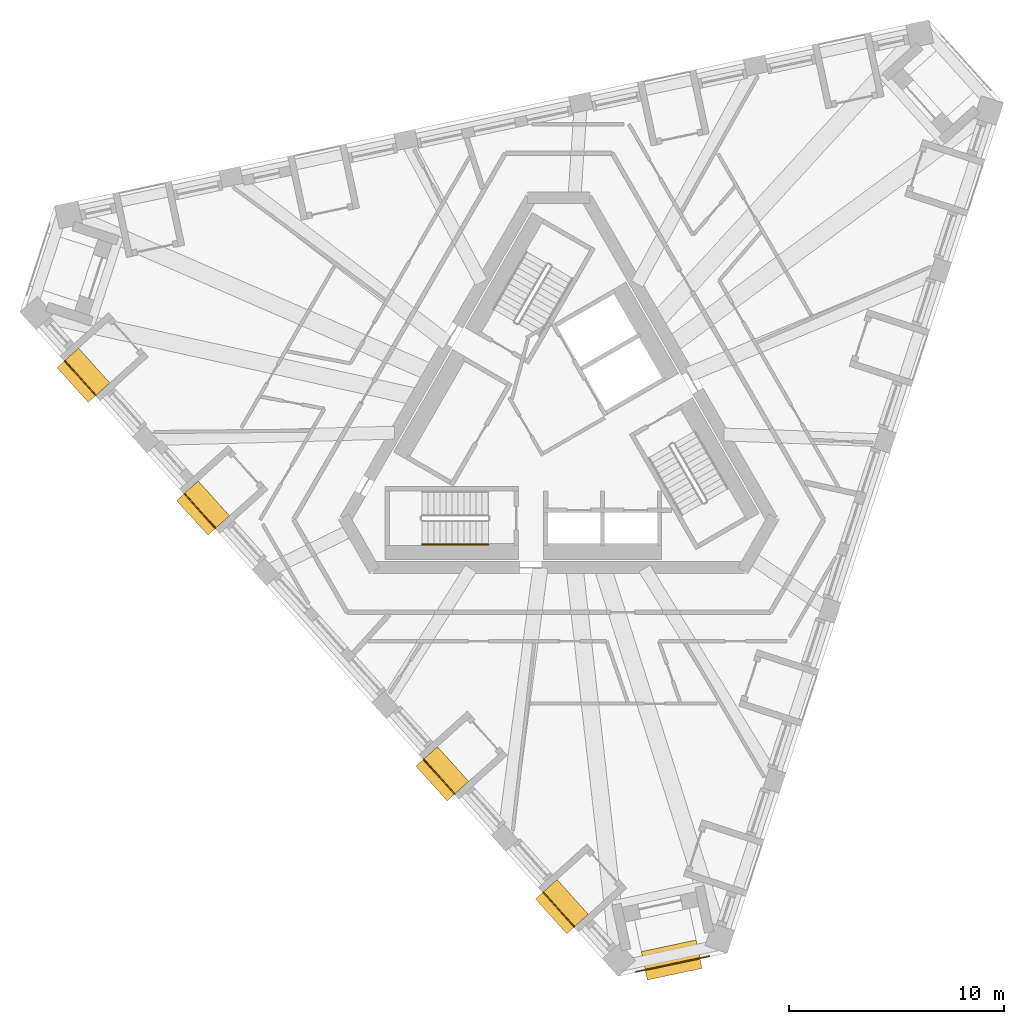
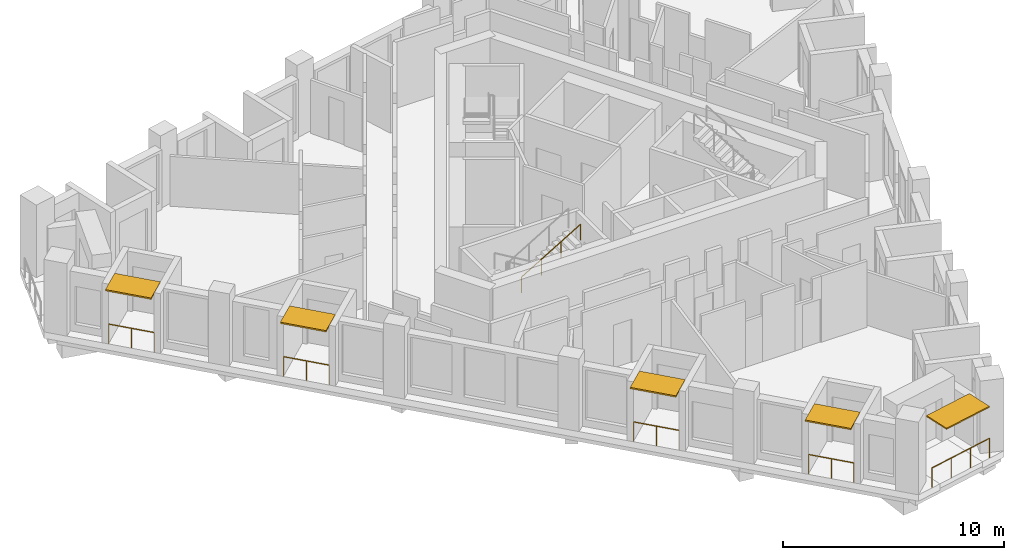
# One storey, part 10 of 13: 6 railings, 5 shading devices.
"""IFC4 building model written with IfcOpenShell, lengths in metres."""

from ifc_helpers import new_model, si_unit, direction, frame, origin, origin_2d, place, context, subcontext, project, spatial, rectangle, circle, extrude, material, layer, layer_set, type_object, element, save


model = new_model("IFC4")

# Units and contexts
model_context = context("Model", 3, precision=1e-05, world=origin(), true_north=direction((0.0, 1.0)))
body_context = subcontext(model_context, "Body", "Model", "MODEL_VIEW")
ifc_project = project(units=[si_unit("LENGTHUNIT", "METRE"), si_unit("AREAUNIT", "SQUARE_METRE"), si_unit("VOLUMEUNIT", "CUBIC_METRE"), si_unit("PLANEANGLEUNIT", "RADIAN"), si_unit("MASSUNIT", "GRAM", prefix="KILO")], contexts=[model_context])

# Site, building, storey
site_placement = place(None, origin())
site = spatial("IfcSite", under=ifc_project, at=site_placement, CompositionType="ELEMENT")
building_placement = place(site_placement, origin())
building = spatial("IfcBuilding", under=site, at=building_placement, Name="Tramontana Tower", CompositionType="ELEMENT")
storey_placement = place(building_placement, frame((0.0, 0.0, 324.39990234375)))
storey = spatial("IfcBuildingStorey", under=building, at=storey_placement, Name="L74", CompositionType="ELEMENT", Elevation=324.39990234375)

# Railings
ifc_material_1 = material(Name="Laminated glass balustrade", Category="glass")
railing_type_1 = type_object("IfcRailingType", Name="GD1 Loggia glass balustrade 1100", PredefinedType="BALUSTRADE", material=ifc_material_1)
railing_1_placement = place(storey_placement, frame((-22.977294921875, 3.146728515625, 0.0)))
element("IfcRailing", 1, at=railing_1_placement, inside=storey, type_object=railing_type_1, Name="Loggia balustrade L74 G8S0.1", PredefinedType="BALUSTRADE", context=body_context, shape_type="SweptSolid", body=[
    extrude(circle(Radius=0.02392578125, at=origin_2d()), frame((0.0, 0.0, 1.076171875), z_axis=(0.669082765552, -0.743187898745, 0.0), x_axis=(0.743187898745, 0.669082765552, 0.0)), (0.0, 0.0, 1.0), 2.171142578125),
    extrude(circle(Radius=0.02099609375, at=origin_2d()), origin(), (0.0, 0.0, 1.0), 1.052001953125),
    extrude(circle(Radius=0.02099609375, at=origin_2d()), frame((0.726318359375, -0.806640625, 0.0)), (0.0, 0.0, 1.0), 1.052001953125),
    extrude(circle(Radius=0.02099609375, at=origin_2d()), frame((1.45263671875, -1.613525390625, 0.0)), (0.0, 0.0, 1.0), 1.052001953125),
])
for number, where, name in (
    (2, (-17.414306640625, -3.03173828125, 0.0), "Loggia balustrade L74 G8S0.4"),
    (3, (-6.288330078125, -15.388427734375, 0.0), "Loggia balustrade L74 G8S0.10"),
):
    element("IfcRailing", number, at=place(storey_placement, frame(where)), inside=storey, type_object=railing_type_1, Name=name, PredefinedType="BALUSTRADE", context=body_context, shape_type="SweptSolid", body=[
        extrude(circle(Radius=0.02392578125, at=origin_2d()), frame((0.0, 0.0, 1.076171875), z_axis=(0.669144868344, -0.743131983681, 0.0), x_axis=(0.743131983681, 0.669144868344, 0.0)), (0.0, 0.0, 1.0), 2.171142578125),
        extrude(circle(Radius=0.02099609375, at=origin_2d()), origin(), (0.0, 0.0, 1.0), 1.052001953125),
        extrude(circle(Radius=0.02099609375, at=origin_2d()), frame((0.7265625, -0.806640625, 0.0)), (0.0, 0.0, 1.0), 1.052001953125),
        extrude(circle(Radius=0.02099609375, at=origin_2d()), frame((1.452880859375, -1.613525390625, 0.0)), (0.0, 0.0, 1.0), 1.052001953125),
    ])
railing_2_placement = place(storey_placement, frame((-0.72509765625, -21.56689453125, 0.0)))
element("IfcRailing", 4, at=railing_2_placement, inside=storey, type_object=railing_type_1, Name="Loggia balustrade L74 G8S0.13", PredefinedType="BALUSTRADE", context=body_context, shape_type="SweptSolid", body=[
    extrude(circle(Radius=0.02392578125, at=origin_2d()), frame((0.0, 0.0, 1.076171875), z_axis=(0.669082765552, -0.743187898745, 0.0), x_axis=(0.743187898745, 0.669082765552, 0.0)), (0.0, 0.0, 1.0), 2.171142578125),
    extrude(circle(Radius=0.02099609375, at=origin_2d()), origin(), (0.0, 0.0, 1.0), 1.052001953125),
    extrude(circle(Radius=0.02099609375, at=origin_2d()), frame((0.726318359375, -0.806640625, 0.0)), (0.0, 0.0, 1.0), 1.052001953125),
    extrude(circle(Radius=0.02099609375, at=origin_2d()), frame((1.45263671875, -1.613525390625, 0.0)), (0.0, 0.0, 1.0), 1.052001953125),
])
railing_3_placement = place(storey_placement, frame((7.00732421875, -24.549560546875, 0.0)))
element("IfcRailing", 5, at=railing_3_placement, inside=storey, type_object=railing_type_1, Name="Corner loggia balustrade L74 K81", PredefinedType="BALUSTRADE", context=body_context, shape_type="SweptSolid", body=[
    extrude(circle(Radius=0.02392578125, at=origin_2d()), frame((0.0, 0.0, 1.076171875), z_axis=(-0.978143070564, -0.20793300245, 0.0), x_axis=(0.20793300245, -0.978143070564, 0.0)), (0.0, 0.0, 1.0), 3.5),
    extrude(circle(Radius=0.02099609375, at=origin_2d()), origin(), (0.0, 0.0, 1.0), 1.052001953125),
    extrude(circle(Radius=0.02099609375, at=origin_2d()), frame((-1.14111328125, -0.24267578125, 0.0)), (0.0, 0.0, 1.0), 1.052001953125),
    extrude(circle(Radius=0.02099609375, at=origin_2d()), frame((-2.282470703125, -0.485107421875, 0.0)), (0.0, 0.0, 1.0), 1.052001953125),
    extrude(circle(Radius=0.02099609375, at=origin_2d()), frame((-3.423583984375, -0.727783203125, 0.0)), (0.0, 0.0, 1.0), 1.052001953125),
])

# Shading devices
ifc_material_2 = material(Name="Precast concrete 60 MPa", Category="concrete")
ifc_layer_1 = layer(ifc_material_2, 0.070068359375)
ifc_layer_set_1 = layer_set([ifc_layer_1], Name="SS2 Stone sunshade blade 70")
shading_device_type_1 = type_object("IfcShadingDeviceType", Name="SS2 Stone sunshade blade 70", PredefinedType="USERDEFINED", material=ifc_layer_set_1)
shading_device_placement = place(storey_placement, frame((5.2548828125, -24.72265625, 3.22998046875), z_axis=(0.0, 0.0, 1.0), x_axis=(-0.978147600734, -0.207911690818, 0.0)))
element("IfcShadingDevice", 6, at=shading_device_placement, inside=storey, type_object=shading_device_type_1, Name="Corner sunshade L74 K81", ObjectType="SUNSHADE", PredefinedType="USERDEFINED", context=body_context, shape_type="SweptSolid", body=[
    extrude(rectangle(XDim=2.60009765625, YDim=1.35009765625, at=origin_2d()), origin(), (0.0, 0.0, 1.0), 0.070068359375),
])
ifc_material_3 = material(Name="Precast concrete 60 MPa", Category="concrete")
ifc_layer_2 = layer(ifc_material_3, 0.080078125)
ifc_layer_set_2 = layer_set([ifc_layer_2], Name="SS3 Stone sunshade blade 80")
shading_device_type_2 = type_object("IfcShadingDeviceType", Name="SS3 Stone sunshade blade 80", PredefinedType="USERDEFINED", material=ifc_layer_set_2)
for number, where, z_axis, x_axis, name in (
    (7, (-22.10595703125, 2.470458984375, 3.219970703125), (0.0, 0.0, 1.0), (0.669130606359, -0.743144825477, 0.0), "Sunshade L74 G8S0.1"),
    (8, (-16.54296875, -3.7080078125, 3.219970703125), (0.0, 0.0, 1.0), (0.669130606359, -0.743144825477, 0.0), "Sunshade L74 G8S0.4"),
    (9, (-5.4169921875, -16.064697265625, 3.219970703125), (0.0, 0.0, 1.0), (0.669130606359, -0.743144825477, 0.0), "Sunshade L74 G8S0.10"),
    (10, (0.146240234375, -22.2431640625, 3.219970703125), (0.0, 0.0, 1.0), (0.669130606359, -0.743144825477, 0.0), "Sunshade L74 G8S0.13"),
):
    element("IfcShadingDevice", number, at=place(storey_placement, frame(where, z_axis=z_axis, x_axis=x_axis)), inside=storey, type_object=shading_device_type_2, Name=name, ObjectType="SUNSHADE", PredefinedType="USERDEFINED", context=body_context, shape_type="SweptSolid", body=[
        extrude(rectangle(XDim=2.17138671875, YDim=1.35009765625, at=origin_2d()), origin(), (0.0, 0.0, 1.0), 0.080078125),
    ])

# Railing
ifc_material_4 = material(Name="Painted steel", Category="steel")
railing_type_2 = type_object("IfcRailingType", Name="STAIR HANDRAIL 900", PredefinedType="HANDRAIL", material=ifc_material_4)
railing_4_placement = place(storey_placement, frame((-6.360107421875, -5.39990234375, 2.166748046875)))
element("IfcRailing", 11, at=railing_4_placement, inside=storey, type_object=railing_type_2, Name="L74 ST2 stair handrail 2", PredefinedType="HANDRAIL", context=body_context, shape_type="SweptSolid", body=[
    extrude(circle(Radius=0.02392578125, at=origin_2d()), frame((0.0, 0.0, 0.8759765625), z_axis=(0.859308565015, 0.0, 0.511457515432), x_axis=(0.0, 1.0, 0.0)), (0.0, 0.0, 1.0), 3.58447265625),
    extrude(circle(Radius=0.02099609375, at=origin_2d()), origin(), (0.0, 0.0, 1.0), 0.851806640625),
    extrude(circle(Radius=0.02099609375, at=origin_2d()), frame((1.026611328125, 0.0, 0.611083984375)), (0.0, 0.0, 1.0), 0.851806640625),
    extrude(circle(Radius=0.02099609375, at=origin_2d()), frame((2.053466796875, 0.0, 1.22216796875)), (0.0, 0.0, 1.0), 0.851806640625),
    extrude(circle(Radius=0.02099609375, at=origin_2d()), frame((3.080078125, 0.0, 1.833251953125)), (0.0, 0.0, 1.0), 0.851806640625),
])

save(model, "model.ifc")
